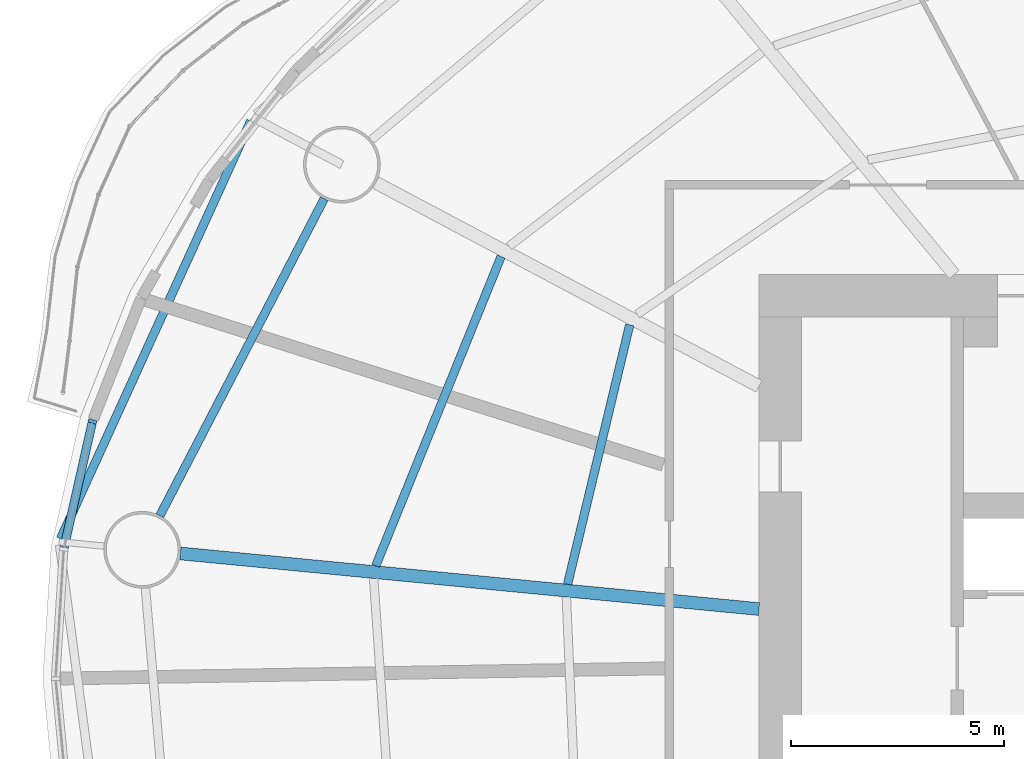
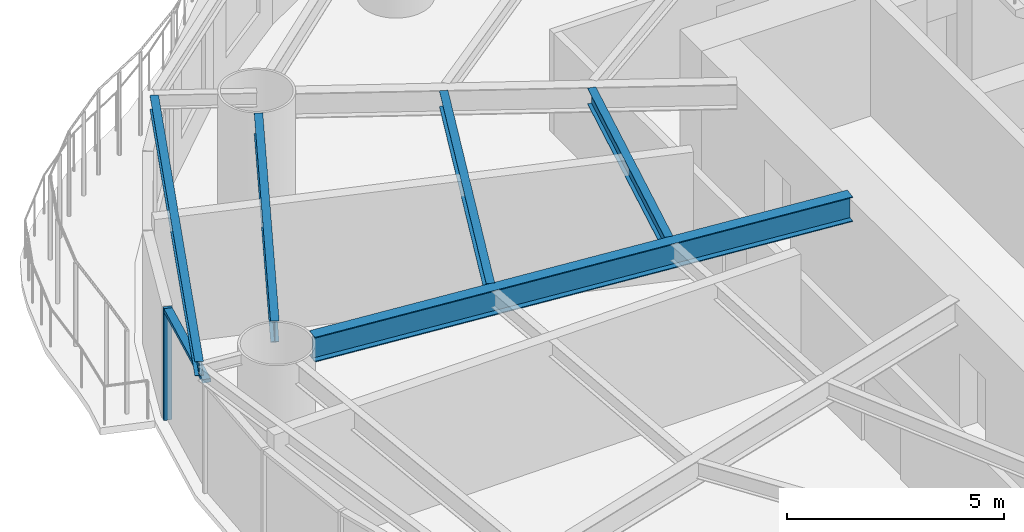
# One storey, part 3 of 17: 5 beams, 2 members, 1 element without a shape of its own.
"""IFC4 building model written with IfcOpenShell, lengths in metres."""

from ifc_helpers import new_model, si_unit, direction, frame, origin, origin_2d, place, context, subcontext, project, spatial, rectangle, i_section, extrude, material, material_profile, profile_set, type_object, element, aggregate, save


model = new_model("IFC4")

# Units and contexts
model_context = context("Model", 3, precision=1e-05, world=origin(), true_north=direction((0.0, 1.0)))
body_context = subcontext(model_context, "Body", "Model", "MODEL_VIEW")
ifc_project = project(units=[si_unit("LENGTHUNIT", "METRE"), si_unit("AREAUNIT", "SQUARE_METRE"), si_unit("VOLUMEUNIT", "CUBIC_METRE"), si_unit("PLANEANGLEUNIT", "RADIAN"), si_unit("MASSUNIT", "GRAM", prefix="KILO")], contexts=[model_context])

# Site, building, storey
site_placement = place(None, origin())
site = spatial("IfcSite", under=ifc_project, at=site_placement, CompositionType="ELEMENT")
building_placement = place(site_placement, origin())
building = spatial("IfcBuilding", under=site, at=building_placement, Name="Vermilion Reach Broadcast Tower", CompositionType="ELEMENT")
storey_placement = place(building_placement, frame((0.0, 0.0, 39.699951171875)))
storey = spatial("IfcBuildingStorey", under=building, at=storey_placement, Name="L06", CompositionType="ELEMENT", Elevation=39.699951171875)

# Beams
ifc_material_1 = material(Name="Steel S355J2", Category="steel")
ifc_material_profile_1 = material_profile(ifc_material_1, i_section(OverallWidth=0.199951171875, OverallDepth=0.39990234375, WebThickness=0.008056640625, FlangeThickness=0.012939453125, at=origin_2d()), Name="S355J2 HN 400x200x8x13")
ifc_profile_set_1 = profile_set([ifc_material_profile_1], Name="Steel S355J2")
beam_type_1 = type_object("IfcBeamType", Name="EB1 HN 400x200x8x13", PredefinedType="BEAM", material=ifc_profile_set_1)
beam_1_placement = place(storey_placement, frame((-29.91796875, 12.598876953125, 3.35009765625), z_axis=(-0.414317272263, -0.910132516673, 0.0), x_axis=(0.910132516673, -0.414317272263, 0.0)))
element("IfcBeam", 1, at=beam_1_placement, inside=storey, type_object=beam_type_1, Name="Edge beam EB1-07", PredefinedType="BEAM", context=body_context, shape_type="SweptSolid", body=[
    extrude(i_section(OverallWidth=0.199951171875, OverallDepth=0.39990234375, WebThickness=0.008056640625, FlangeThickness=0.012939453125, at=origin_2d()), origin(), (0.0, 0.0, 1.0), 10.763427734375),
])
ifc_material_2 = material(Name="Steel S355J2", Category="steel")
ifc_material_profile_2 = material_profile(ifc_material_2, i_section(OverallWidth=0.300048828125, OverallDepth=0.699951171875, WebThickness=0.012939453125, FlangeThickness=0.02392578125, at=origin_2d()), Name="S355J2 HN 700x300x13x24")
ifc_profile_set_2 = profile_set([ifc_material_profile_2], Name="Steel S355J2")
beam_type_2 = type_object("IfcBeamType", Name="G1 HN 700x300x13x24", PredefinedType="BEAM", material=ifc_profile_set_2)
beam_2_placement = place(storey_placement, frame((-18.0, 1.1533203125, 3.199951171875), z_axis=(-0.995412178872, 0.095679643363, 0.0), x_axis=(-0.095679643363, -0.995412178872, 0.0)))
element("IfcBeam", 2, at=beam_2_placement, inside=storey, type_object=beam_type_2, Name="Girder G1-08", PredefinedType="BEAM", context=body_context, shape_type="SweptSolid", body=[
    extrude(i_section(OverallWidth=0.300048828125, OverallDepth=0.699951171875, WebThickness=0.012939453125, FlangeThickness=0.02392578125, at=origin_2d()), origin(), (0.0, 0.0, 1.0), 13.630859375),
])
ifc_material_3 = material(Name="Steel S355J2", Category="steel")
ifc_material_profile_3 = material_profile(ifc_material_3, i_section(OverallWidth=0.199951171875, OverallDepth=0.60009765625, WebThickness=0.010986328125, FlangeThickness=0.01708984375, at=origin_2d()), Name="S355J2 HN 600x200x11x17")
ifc_profile_set_3 = profile_set([ifc_material_profile_3], Name="Steel S355J2")
beam_type_3 = type_object("IfcBeamType", Name="RB1 HN 600x200x11x17", PredefinedType="BEAM", material=ifc_profile_set_3)
beam_3_placement = place(storey_placement, frame((-28.194091796875, 10.776611328125, 3.25), z_axis=(-0.460411617218, -0.887705549566, 0.0), x_axis=(0.887705549566, -0.460411617218, 0.0)))
element("IfcBeam", 3, at=beam_3_placement, inside=storey, type_object=beam_type_3, Name="Ring beam RB1-07", PredefinedType="BEAM", context=body_context, shape_type="SweptSolid", body=[
    extrude(i_section(OverallWidth=0.199951171875, OverallDepth=0.60009765625, WebThickness=0.010986328125, FlangeThickness=0.01708984375, at=origin_2d()), origin(), (0.0, 0.0, 1.0), 8.37451171875),
])
ifc_material_4 = material(Name="Steel S355J2", Category="steel")
ifc_material_profile_4 = material_profile(ifc_material_4, i_section(OverallWidth=0.199951171875, OverallDepth=0.449951171875, WebThickness=0.009033203125, FlangeThickness=0.013916015625, at=origin_2d()), Name="S355J2 HN 450x200x9x14")
ifc_profile_set_4 = profile_set([ifc_material_profile_4], Name="Steel S355J2")
beam_type_4 = type_object("IfcBeamType", Name="SB1 HN 450x200x9x14", PredefinedType="BEAM", material=ifc_profile_set_4)
beam_4_placement = place(storey_placement, frame((-21.031005859375, 7.81884765625, 3.324951171875), z_axis=(-0.232844467589, -0.972513986487, 0.0), x_axis=(0.972513986487, -0.232844467589, 0.0)))
element("IfcBeam", 4, at=beam_4_placement, inside=storey, type_object=beam_type_4, Name="Secondary beam SB1-07-1", PredefinedType="BEAM", context=body_context, shape_type="SweptSolid", body=[
    extrude(i_section(OverallWidth=0.199951171875, OverallDepth=0.449951171875, WebThickness=0.009033203125, FlangeThickness=0.013916015625, at=origin_2d()), origin(), (0.0, 0.0, 1.0), 6.25537109375),
])
beam_5_placement = place(storey_placement, frame((-24.046630859375, 9.421630859375, 3.324951171875), z_axis=(-0.375640669938, -0.926765389453, 0.0), x_axis=(0.926765389453, -0.375640669938, 0.0)))
element("IfcBeam", 5, at=beam_5_placement, inside=storey, type_object=beam_type_4, Name="Secondary beam SB1-07-2", PredefinedType="BEAM", context=body_context, shape_type="SweptSolid", body=[
    extrude(i_section(OverallWidth=0.199951171875, OverallDepth=0.449951171875, WebThickness=0.009033203125, FlangeThickness=0.013916015625, at=origin_2d()), origin(), (0.0, 0.0, 1.0), 7.8271484375),
])

# Curtain wall, members
ifc_material_5 = material(Name="Low-e laminated clear glass in aluminium frame", Category="aluminium")
curtain_wall_type = type_object("IfcCurtainWallType", Name="Slot curtain wall", PredefinedType="NOTDEFINED", material=ifc_material_5)
curtain_wall_placement = place(storey_placement, origin())
curtain_wall = element("IfcCurtainWall", 6, at=curtain_wall_placement, inside=storey, type_object=curtain_wall_type, Name="Slot curtain wall L06 22", PredefinedType="NOTDEFINED")
ifc_material_6 = material(Name="Anodised aluminium", Category="aluminium")
ifc_material_profile_5 = material_profile(ifc_material_6, rectangle(XDim=0.199951171875, YDim=0.080078125, at=origin_2d()), Name="Slot mullion 80 x 200")
ifc_profile_set_5 = profile_set([ifc_material_profile_5], Name="Anodised aluminium")
member_type_1 = type_object("IfcMemberType", Name="Slot mullion 80 x 200", PredefinedType="MULLION", material=ifc_profile_set_5)
member_1_placement = place(storey_placement, frame((-33.6298828125, 5.552734375, 0.0), z_axis=(0.0, 0.0, 1.0), x_axis=(0.955724072113, -0.294264333522, 0.0)))
member_1 = element("IfcMember", 7, at=member_1_placement, type_object=member_type_1, Name="Slot mullion L06 22", PredefinedType="MULLION", context=body_context, shape_type="SweptSolid", body=[
    extrude(rectangle(XDim=0.199951171875, YDim=0.080078125, at=origin_2d()), origin(), (0.0, 0.0, 1.0), 3.150146484375),
])
ifc_material_7 = material(Name="Anodised aluminium", Category="aluminium")
ifc_material_profile_6 = material_profile(ifc_material_7, rectangle(XDim=0.199951171875, YDim=0.10009765625, at=origin_2d()), Name="Slot transom 200 x 100")
ifc_profile_set_6 = profile_set([ifc_material_profile_6], Name="Anodised aluminium")
member_type_2 = type_object("IfcMemberType", Name="Slot transom 200 x 100", PredefinedType="USERDEFINED", material=ifc_profile_set_6)
member_2_placement = place(storey_placement, frame((-33.638671875, 5.513671875, 3.10009765625), z_axis=(-0.219576339601, -0.975595321374, 0.0), x_axis=(0.975595321374, -0.219576339601, 0.0)))
member_2 = element("IfcMember", 8, at=member_2_placement, type_object=member_type_2, Name="Slot transom L06 22.1", ObjectType="TRANSOM", PredefinedType="USERDEFINED", context=body_context, shape_type="SweptSolid", body=[
    extrude(rectangle(XDim=0.199951171875, YDim=0.10009765625, at=origin_2d()), origin(), (0.0, 0.0, 1.0), 2.98876953125),
])
aggregate(curtain_wall, [member_1, member_2])

save(model, "model.ifc")
